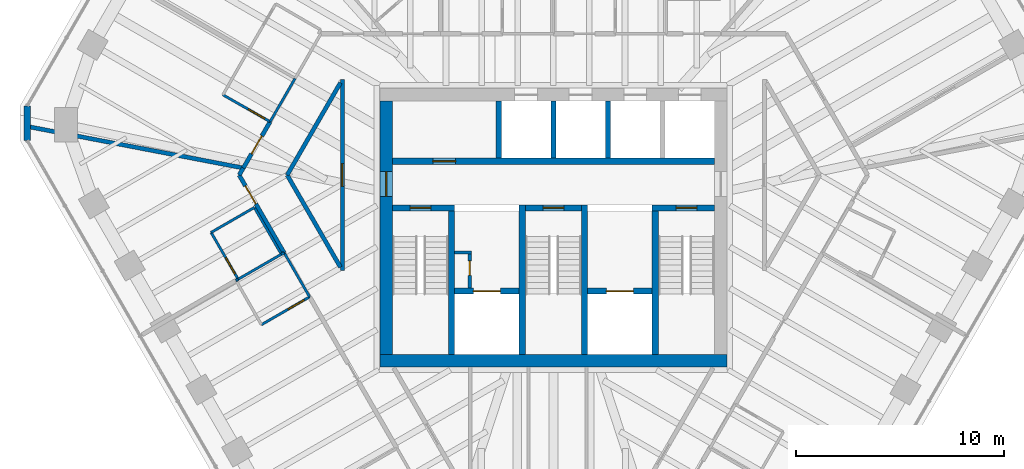
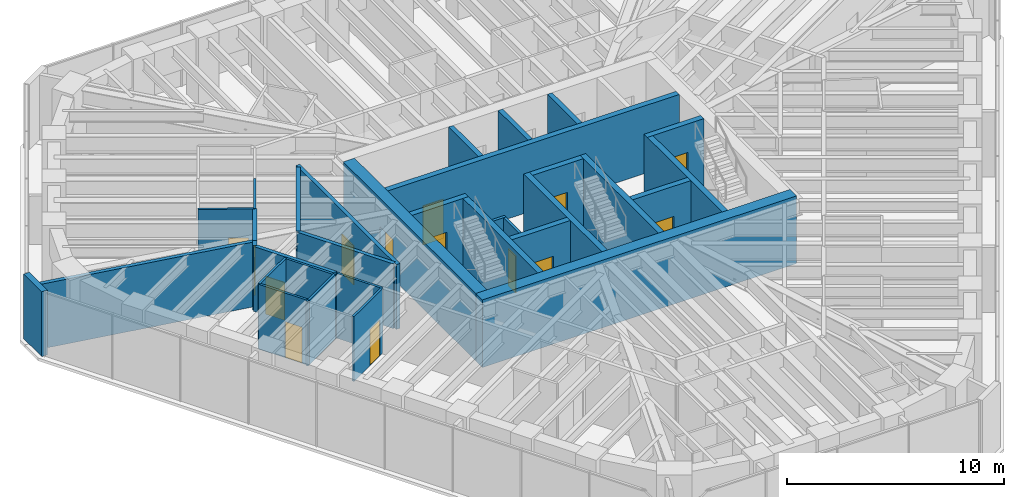
# One storey, part 10 of 14: 35 walls, 14 doors, 14 openings.
"""IFC4 building model written with IfcOpenShell, lengths in metres."""

from ifc_helpers import new_model, si_unit, direction, frame, frame_2d, origin, place, context, subcontext, project, spatial, rectangle, extrude, material, layer, layer_set, type_object, element, fill, save


model = new_model("IFC4")

# Units and contexts
model_context = context("Model", 3, precision=1e-05, world=origin(), true_north=direction((0.0, 1.0)))
body_context = subcontext(model_context, "Body", "Model", "MODEL_VIEW")
ifc_project = project(units=[si_unit("LENGTHUNIT", "METRE"), si_unit("AREAUNIT", "SQUARE_METRE"), si_unit("VOLUMEUNIT", "CUBIC_METRE"), si_unit("PLANEANGLEUNIT", "RADIAN"), si_unit("MASSUNIT", "GRAM", prefix="KILO")], contexts=[model_context])

# Site, building, storey
site_placement = place(None, origin())
site = spatial("IfcSite", under=ifc_project, at=site_placement, CompositionType="ELEMENT")
building_placement = place(site_placement, origin())
building = spatial("IfcBuilding", under=site, at=building_placement, Name="Sandreach Pilgrim Tower", CompositionType="ELEMENT")
storey_placement = place(building_placement, frame((0.0, 0.0, 295.0)))
storey = spatial("IfcBuildingStorey", under=building, at=storey_placement, Name="L74", CompositionType="ELEMENT", Elevation=295.0)

# Wall, opening, door
ifc_material_1 = material(Name="Moisture-resistant gypsum board on steel studs", Category="steel")
ifc_layer_1 = layer(ifc_material_1, 0.1201171875)
ifc_layer_set_1 = layer_set([ifc_layer_1], Name="Bathroom partition 120")
wall_type_1 = type_object("IfcWallType", Name="Bathroom partition 120", PredefinedType="PARTITIONING", material=ifc_layer_set_1)
wall_1_placement = place(storey_placement, frame((-16.469970703125, -0.22998046875, 0.0), z_axis=(0.0, 0.0, 1.0), x_axis=(0.500291685314, -0.865856933682, 0.0)))
wall_1 = element("IfcWall", 1, at=wall_1_placement, inside=storey, type_object=wall_type_1, Name="Bathroom partition L74-005", PredefinedType="PARTITIONING", context=body_context, shape_type="SweptSolid", body=[
    extrude(rectangle(XDim=2.5986328125, YDim=0.1201171875, at=frame_2d((1.29931640625, 0.0))), origin(), (0.0, 0.0, 1.0), 3.639892578125),
])
opening_1_placement = place(wall_1_placement, frame((1.398681640625, 0.0, 0.0)))
opening_1 = element("IfcOpeningElement", 2, at=opening_1_placement, cuts=wall_1, Name="Opening D09-15B", PredefinedType="OPENING", context=body_context, shape_type="SweptSolid", body=[
    extrude(rectangle(XDim=0.89990234375, YDim=2.030029296875, at=frame_2d((0.449951171875, 1.01513671875))), frame((0.0, 0.06005859375, 0.0), z_axis=(0.0, -1.0, 0.0), x_axis=(1.0, 0.0, 0.0)), (0.0, 0.0, 1.0), 0.1201171875),
])
ifc_material_2 = material(Name="Timber door, steel frame", Category="steel")
door_type_1 = type_object("IfcDoorType", Name="Bathroom door", OperationType="SINGLE_SWING_LEFT", PredefinedType="DOOR", material=ifc_material_2)
door_1_placement = place(opening_1_placement, origin())
door_1 = element("IfcDoor", 3, at=door_1_placement, inside=storey, type_object=door_type_1, Name="Door 7415B", OperationType="SINGLE_SWING_RIGHT", OverallHeight=2.030029296875, OverallWidth=0.89990234375, PredefinedType="DOOR", context=body_context, shape_type="SweptSolid", body=[
    extrude(rectangle(XDim=0.89990234375, YDim=2.030029296875, at=frame_2d((0.449951171875, 1.01513671875))), frame((0.0, 0.02490234375, 0.0), z_axis=(0.0, -1.0, 0.0), x_axis=(1.0, 0.0, 0.0)), (0.0, 0.0, 1.0), 0.050048828125),
])
fill(opening_1, door_1)

wall_2_placement = place(storey_placement, frame((-15.89990234375, 6.389892578125, 0.0), z_axis=(0.0, 0.0, 1.0), x_axis=(0.869431908012, -0.494052787999, 0.0)))
wall_2 = element("IfcWall", 4, at=wall_2_placement, inside=storey, type_object=wall_type_1, Name="Bathroom partition L74-006", PredefinedType="PARTITIONING", context=body_context, shape_type="SweptSolid", body=[
    extrude(rectangle(XDim=2.610595703125, YDim=0.1201171875, at=frame_2d((1.30517578125, 0.0))), origin(), (0.0, 0.0, 1.0), 3.639892578125),
])
opening_2_placement = place(wall_2_placement, frame((1.410888671875, 0.0, 0.0)))
opening_2 = element("IfcOpeningElement", 5, at=opening_2_placement, cuts=wall_2, Name="Opening D09-16B", PredefinedType="OPENING", context=body_context, shape_type="SweptSolid", body=[
    extrude(rectangle(XDim=0.89990234375, YDim=2.030029296875, at=frame_2d((0.449951171875, 1.01513671875))), frame((0.0, 0.06005859375, 0.0), z_axis=(0.0, -1.0, 0.0), x_axis=(1.0, 0.0, 0.0)), (0.0, 0.0, 1.0), 0.1201171875),
])
door_2_placement = place(opening_2_placement, origin())
door_2 = element("IfcDoor", 6, at=door_2_placement, inside=storey, type_object=door_type_1, Name="Door 7416B", OperationType="SINGLE_SWING_RIGHT", OverallHeight=2.030029296875, OverallWidth=0.89990234375, PredefinedType="DOOR", context=body_context, shape_type="SweptSolid", body=[
    extrude(rectangle(XDim=0.89990234375, YDim=2.030029296875, at=frame_2d((0.449951171875, 1.01513671875))), frame((0.0, 0.02490234375, 0.0), z_axis=(0.0, -1.0, 0.0), x_axis=(1.0, 0.0, 0.0)), (0.0, 0.0, 1.0), 0.050048828125),
])
fill(opening_2, door_2)

# Walls
wall_3_placement = place(storey_placement, frame((-15.27001953125, -2.5400390625, 0.0), z_axis=(0.0, 0.0, 1.0), x_axis=(0.864612942288, 0.502438513678, 0.0)))
element("IfcWall", 7, at=wall_3_placement, inside=storey, type_object=wall_type_1, Name="Bathroom partition L74-007", PredefinedType="PARTITIONING", context=body_context, shape_type="SweptSolid", body=[
    extrude(rectangle(XDim=0.11669921875, YDim=0.1201171875, at=frame_2d((0.058349609375, 0.0))), origin(), (0.0, 0.0, 1.0), 3.639892578125),
])
for number, where, z_axis, x_axis, name in (
    (8, (-15.1689453125, -2.48193359375, 0.0), (0.0, 0.0, 1.0), (0.865723129019, 0.500523190154, 0.0), "Bathroom partition L74-009"),
    (9, (-14.389892578125, 0.969970703125, 0.0), (0.0, 0.0, 1.0), (-0.866202511239, -0.499693115345, 0.0), "Bathroom partition L74-015"),
):
    element("IfcWall", number, at=place(storey_placement, frame(where, z_axis=z_axis, x_axis=x_axis)), inside=storey, type_object=wall_type_1, Name=name, PredefinedType="PARTITIONING", context=body_context, shape_type="SweptSolid", body=[
        extrude(rectangle(XDim=2.4013671875, YDim=0.1201171875, at=frame_2d((1.20068359375, 0.0))), origin(), (0.0, 0.0, 1.0), 3.639892578125),
    ])

# Wall, opening, door
wall_4_placement = place(storey_placement, frame((-14.050048828125, -4.669921875, 0.0), z_axis=(0.0, 0.0, 1.0), x_axis=(0.865968562295, 0.500098439427, 0.0)))
wall_4 = element("IfcWall", 10, at=wall_4_placement, inside=storey, type_object=wall_type_1, Name="Bathroom partition L74-017", PredefinedType="PARTITIONING", context=body_context, shape_type="SweptSolid", body=[
    extrude(rectangle(XDim=2.67919921875, YDim=0.1201171875, at=frame_2d((1.339599609375, 0.0))), origin(), (0.0, 0.0, 1.0), 3.639892578125),
])
opening_3_placement = place(wall_4_placement, frame((1.479248046875, 0.0, 0.0)))
opening_3 = element("IfcOpeningElement", 11, at=opening_3_placement, cuts=wall_4, Name="Opening D09-14B", PredefinedType="OPENING", context=body_context, shape_type="SweptSolid", body=[
    extrude(rectangle(XDim=0.89990234375, YDim=2.030029296875, at=frame_2d((0.449951171875, 1.01513671875))), frame((0.0, 0.06005859375, 0.0), z_axis=(0.0, -1.0, 0.0), x_axis=(1.0, 0.0, 0.0)), (0.0, 0.0, 1.0), 0.1201171875),
])
door_3_placement = place(opening_3_placement, origin())
door_3 = element("IfcDoor", 12, at=door_3_placement, inside=storey, type_object=door_type_1, Name="Door 7414B", OperationType="SINGLE_SWING_RIGHT", OverallHeight=2.030029296875, OverallWidth=0.89990234375, PredefinedType="DOOR", context=body_context, shape_type="SweptSolid", body=[
    extrude(rectangle(XDim=0.89990234375, YDim=2.030029296875, at=frame_2d((0.449951171875, 1.01513671875))), frame((0.0, 0.02490234375, 0.0), z_axis=(0.0, -1.0, 0.0), x_axis=(1.0, 0.0, 0.0)), (0.0, 0.0, 1.0), 0.050048828125),
])
fill(opening_3, door_3)

# Walls
wall_5_placement = place(storey_placement, frame((-13.6298828125, 5.10009765625, 0.0), z_axis=(0.0, 0.0, 1.0), x_axis=(0.499737123639, 0.866177122335, 0.0)))
element("IfcWall", 13, at=wall_5_placement, inside=storey, type_object=wall_type_1, Name="Bathroom partition L74-018", PredefinedType="PARTITIONING", context=body_context, shape_type="SweptSolid", body=[
    extrude(rectangle(XDim=2.401123046875, YDim=0.1201171875, at=frame_2d((1.20068359375, 0.0))), origin(), (0.0, 0.0, 1.0), 3.639892578125),
])
wall_6_placement = place(storey_placement, frame((-13.090087890625, -1.280029296875, 0.0), z_axis=(0.0, 0.0, 1.0), x_axis=(-0.500291685314, 0.865856933682, 0.0)))
element("IfcWall", 14, at=wall_6_placement, inside=storey, type_object=wall_type_1, Name="Bathroom partition L74-020", PredefinedType="PARTITIONING", context=body_context, shape_type="SweptSolid", body=[
    extrude(rectangle(XDim=2.5986328125, YDim=0.1201171875, at=frame_2d((1.29931640625, 0.0))), origin(), (0.0, 0.0, 1.0), 3.639892578125),
])
wall_7_placement = place(storey_placement, frame((-13.087890625, -1.283447265625, 0.0), z_axis=(0.0, 0.0, 1.0), x_axis=(0.867120749652, 0.498097987873, 0.0)))
element("IfcWall", 15, at=wall_7_placement, inside=storey, type_object=wall_type_1, Name="Bathroom partition L74-021", PredefinedType="PARTITIONING", context=body_context, shape_type="SweptSolid", body=[
    extrude(rectangle(XDim=0.1474609375, YDim=0.1201171875, at=frame_2d((0.07373046875, 0.0))), origin(), (0.0, 0.0, 1.0), 3.639892578125),
])
wall_8_placement = place(storey_placement, frame((-12.955322265625, -1.207275390625, 0.0), z_axis=(0.0, 0.0, 1.0), x_axis=(0.499920767294, -0.866071143976, 0.0)))
element("IfcWall", 16, at=wall_8_placement, inside=storey, type_object=wall_type_1, Name="Bathroom partition L74-022", PredefinedType="PARTITIONING", context=body_context, shape_type="SweptSolid", body=[
    extrude(rectangle(XDim=2.451171875, YDim=0.1201171875, at=frame_2d((1.2255859375, 0.0))), origin(), (0.0, 0.0, 1.0), 3.639892578125),
])
ifc_material_3 = material(Name="Concrete 10000 psi", Category="concrete")
ifc_layer_2 = layer(ifc_material_3, 0.300048828125)
ifc_layer_set_2 = layer_set([ifc_layer_2], Name="Core inner wall 300")
wall_type_2 = type_object("IfcWallType", Name="Core inner wall 300", PredefinedType="SHEAR", material=ifc_layer_set_2)
for number, where, z_axis, x_axis, name in (
    (17, (-4.89990234375, -6.10009765625, 0.0), (0.0, 0.0, 1.0), (0.0, 1.0, 0.0), "Core wall I0 L74"),
    (18, (-1.5, -6.10009765625, 0.0), (0.0, 0.0, 1.0), (0.0, 1.0, 0.0), "Core wall I1 L74"),
    (19, (1.5, -6.10009765625, 0.0), (0.0, 0.0, 1.0), (0.0, 1.0, 0.0), "Core wall I2 L74"),
    (20, (4.89990234375, -6.10009765625, 0.0), (0.0, 0.0, 1.0), (0.0, 1.0, 0.0), "Core wall I3 L74"),
):
    element("IfcWall", number, at=place(storey_placement, frame(where, z_axis=z_axis, x_axis=x_axis)), inside=storey, type_object=wall_type_2, Name=name, PredefinedType="SHEAR", context=body_context, shape_type="SweptSolid", body=[
        extrude(rectangle(XDim=7.2001953125, YDim=0.300048828125, at=frame_2d((3.60009765625, 0.0))), origin(), (0.0, 0.0, 1.0), 3.800048828125),
    ])

# Wall, opening, door
wall_9_placement = place(storey_placement, frame((-7.75, 0.949951171875, 0.0), z_axis=(0.0, 0.0, 1.0), x_axis=(1.0, 0.0, 0.0)))
wall_9 = element("IfcWall", 21, at=wall_9_placement, inside=storey, type_object=wall_type_2, Name="Core wall SN1 L74", PredefinedType="SHEAR", context=body_context, shape_type="SweptSolid", body=[
    extrude(rectangle(XDim=3.0, YDim=0.300048828125, at=frame_2d((1.5, 0.0))), origin(), (0.0, 0.0, 1.0), 3.800048828125),
])
opening_4_placement = place(wall_9_placement, frame((0.85009765625, 0.0, 0.0)))
opening_4 = element("IfcOpeningElement", 22, at=opening_4_placement, cuts=wall_9, Name="Opening D10S-ST1", PredefinedType="OPENING", context=body_context, shape_type="SweptSolid", body=[
    extrude(rectangle(XDim=1.0, YDim=2.199951171875, at=frame_2d((0.5, 1.10009765625))), frame((0.0, 0.14990234375, 0.0), z_axis=(0.0, -1.0, 0.0), x_axis=(1.0, 0.0, 0.0)), (0.0, 0.0, 1.0), 0.300048828125),
])
ifc_material_4 = material(Name="Steel door and frame", Category="steel")
door_type_2 = type_object("IfcDoorType", Name="Stair door", OperationType="SINGLE_SWING_LEFT", PredefinedType="DOOR", material=ifc_material_4)
door_4_placement = place(opening_4_placement, origin())
door_4 = element("IfcDoor", 23, at=door_4_placement, inside=storey, type_object=door_type_2, Name="Stair door ST1 L74", OperationType="SINGLE_SWING_LEFT", OverallHeight=2.199951171875, OverallWidth=1.0, PredefinedType="DOOR", context=body_context, shape_type="SweptSolid", body=[
    extrude(rectangle(XDim=1.0, YDim=2.199951171875, at=frame_2d((0.5, 1.10009765625))), frame((0.0, 0.02490234375, 0.0), z_axis=(0.0, -1.0, 0.0), x_axis=(1.0, 0.0, 0.0)), (0.0, 0.0, 1.0), 0.050048828125),
])
fill(opening_4, door_4)

wall_10_placement = place(storey_placement, frame((-1.35009765625, 0.949951171875, 0.0), z_axis=(0.0, 0.0, 1.0), x_axis=(1.0, 0.0, 0.0)))
wall_10 = element("IfcWall", 24, at=wall_10_placement, inside=storey, type_object=wall_type_2, Name="Core wall SN3 L74", PredefinedType="SHEAR", context=body_context, shape_type="SweptSolid", body=[
    extrude(rectangle(XDim=2.7001953125, YDim=0.300048828125, at=frame_2d((1.35009765625, 0.0))), origin(), (0.0, 0.0, 1.0), 3.800048828125),
])
opening_5_placement = place(wall_10_placement, frame((0.85009765625, 0.0, 0.0)))
opening_5 = element("IfcOpeningElement", 25, at=opening_5_placement, cuts=wall_10, Name="Opening D10S-ST3", PredefinedType="OPENING", context=body_context, shape_type="SweptSolid", body=[
    extrude(rectangle(XDim=1.0, YDim=2.199951171875, at=frame_2d((0.5, 1.10009765625))), frame((0.0, 0.14990234375, 0.0), z_axis=(0.0, -1.0, 0.0), x_axis=(1.0, 0.0, 0.0)), (0.0, 0.0, 1.0), 0.300048828125),
])
door_5_placement = place(opening_5_placement, origin())
door_5 = element("IfcDoor", 26, at=door_5_placement, inside=storey, type_object=door_type_2, Name="Stair door ST3 L74", OperationType="SINGLE_SWING_LEFT", OverallHeight=2.199951171875, OverallWidth=1.0, PredefinedType="DOOR", context=body_context, shape_type="SweptSolid", body=[
    extrude(rectangle(XDim=1.0, YDim=2.199951171875, at=frame_2d((0.5, 1.10009765625))), frame((0.0, 0.02490234375, 0.0), z_axis=(0.0, -1.0, 0.0), x_axis=(1.0, 0.0, 0.0)), (0.0, 0.0, 1.0), 0.050048828125),
])
fill(opening_5, door_5)

wall_11_placement = place(storey_placement, frame((4.75, 0.949951171875, 0.0), z_axis=(0.0, 0.0, 1.0), x_axis=(1.0, 0.0, 0.0)))
wall_11 = element("IfcWall", 27, at=wall_11_placement, inside=storey, type_object=wall_type_2, Name="Core wall SN2 L74", PredefinedType="SHEAR", context=body_context, shape_type="SweptSolid", body=[
    extrude(rectangle(XDim=3.0, YDim=0.300048828125, at=frame_2d((1.5, 0.0))), origin(), (0.0, 0.0, 1.0), 3.800048828125),
])
opening_6_placement = place(wall_11_placement, frame((1.14990234375, 0.0, 0.0)))
opening_6 = element("IfcOpeningElement", 28, at=opening_6_placement, cuts=wall_11, Name="Opening D10S-ST2", PredefinedType="OPENING", context=body_context, shape_type="SweptSolid", body=[
    extrude(rectangle(XDim=1.0, YDim=2.199951171875, at=frame_2d((0.5, 1.10009765625))), frame((0.0, 0.14990234375, 0.0), z_axis=(0.0, -1.0, 0.0), x_axis=(1.0, 0.0, 0.0)), (0.0, 0.0, 1.0), 0.300048828125),
])
door_6_placement = place(opening_6_placement, origin())
door_6 = element("IfcDoor", 29, at=door_6_placement, inside=storey, type_object=door_type_2, Name="Stair door ST2 L74", OperationType="SINGLE_SWING_RIGHT", OverallHeight=2.199951171875, OverallWidth=1.0, PredefinedType="DOOR", context=body_context, shape_type="SweptSolid", body=[
    extrude(rectangle(XDim=1.0, YDim=2.199951171875, at=frame_2d((0.5, 1.10009765625))), frame((0.0, 0.02490234375, 0.0), z_axis=(0.0, -1.0, 0.0), x_axis=(1.0, 0.0, 0.0)), (0.0, 0.0, 1.0), 0.050048828125),
])
fill(opening_6, door_6)

wall_12_placement = place(storey_placement, frame((-4.75, -3.050048828125, 0.0), z_axis=(0.0, 0.0, 1.0), x_axis=(1.0, 0.0, 0.0)))
wall_12 = element("IfcWall", 30, at=wall_12_placement, inside=storey, type_object=wall_type_2, Name="Core wall FL1 L74", PredefinedType="SHEAR", context=body_context, shape_type="SweptSolid", body=[
    extrude(rectangle(XDim=3.10009765625, YDim=0.300048828125, at=frame_2d((1.550048828125, 0.0))), origin(), (0.0, 0.0, 1.0), 3.800048828125),
])
opening_7_placement = place(wall_12_placement, frame((0.89990234375, 0.0, 0.0)))
opening_7 = element("IfcOpeningElement", 31, at=opening_7_placement, cuts=wall_12, Name="Opening LD13", PredefinedType="OPENING", context=body_context, shape_type="SweptSolid", body=[
    extrude(rectangle(XDim=1.300048828125, YDim=2.10009765625, at=frame_2d((0.64990234375, 1.050048828125))), frame((0.0, 0.14990234375, 0.0), z_axis=(0.0, -1.0, 0.0), x_axis=(1.0, 0.0, 0.0)), (0.0, 0.0, 1.0), 0.300048828125),
])
ifc_material_5 = material(Name="Steel door and frame", Category="steel")
door_type_3 = type_object("IfcDoorType", Name="Fire service lift landing door", OperationType="DOUBLE_DOOR_SLIDING", PredefinedType="DOOR", material=ifc_material_5)
door_7_placement = place(opening_7_placement, origin())
door_7 = element("IfcDoor", 32, at=door_7_placement, inside=storey, type_object=door_type_3, Name="Lift landing door FS1 L74", OperationType="DOUBLE_DOOR_SLIDING", OverallHeight=2.10009765625, OverallWidth=1.300048828125, PredefinedType="DOOR", context=body_context, shape_type="SweptSolid", body=[
    extrude(rectangle(XDim=1.300048828125, YDim=2.10009765625, at=frame_2d((0.64990234375, 1.050048828125))), frame((0.0, 0.02490234375, 0.0), z_axis=(0.0, -1.0, 0.0), x_axis=(1.0, 0.0, 0.0)), (0.0, 0.0, 1.0), 0.050048828125),
])
fill(opening_7, door_7)

wall_13_placement = place(storey_placement, frame((1.64990234375, -3.050048828125, 0.0), z_axis=(0.0, 0.0, 1.0), x_axis=(1.0, 0.0, 0.0)))
wall_13 = element("IfcWall", 33, at=wall_13_placement, inside=storey, type_object=wall_type_2, Name="Core wall FL2 L74", PredefinedType="SHEAR", context=body_context, shape_type="SweptSolid", body=[
    extrude(rectangle(XDim=3.10009765625, YDim=0.300048828125, at=frame_2d((1.550048828125, 0.0))), origin(), (0.0, 0.0, 1.0), 3.800048828125),
])
opening_8_placement = place(wall_13_placement, frame((0.89990234375, 0.0, 0.0)))
opening_8 = element("IfcOpeningElement", 34, at=opening_8_placement, cuts=wall_13, Name="Opening LD13", PredefinedType="OPENING", context=body_context, shape_type="SweptSolid", body=[
    extrude(rectangle(XDim=1.300048828125, YDim=2.10009765625, at=frame_2d((0.64990234375, 1.050048828125))), frame((0.0, 0.14990234375, 0.0), z_axis=(0.0, -1.0, 0.0), x_axis=(1.0, 0.0, 0.0)), (0.0, 0.0, 1.0), 0.300048828125),
])
door_8_placement = place(opening_8_placement, origin())
door_8 = element("IfcDoor", 35, at=door_8_placement, inside=storey, type_object=door_type_3, Name="Lift landing door FS2 L74", OperationType="DOUBLE_DOOR_SLIDING", OverallHeight=2.10009765625, OverallWidth=1.300048828125, PredefinedType="DOOR", context=body_context, shape_type="SweptSolid", body=[
    extrude(rectangle(XDim=1.300048828125, YDim=2.10009765625, at=frame_2d((0.64990234375, 1.050048828125))), frame((0.0, 0.02490234375, 0.0), z_axis=(0.0, -1.0, 0.0), x_axis=(1.0, 0.0, 0.0)), (0.0, 0.0, 1.0), 0.050048828125),
])
fill(opening_8, door_8)

wall_14_placement = place(storey_placement, frame((-7.75, 3.199951171875, 0.0), z_axis=(0.0, 0.0, 1.0), x_axis=(1.0, 0.0, 0.0)))
wall_14 = element("IfcWall", 36, at=wall_14_placement, inside=storey, type_object=wall_type_2, Name="Core wall PN L74", PredefinedType="SHEAR", context=body_context, shape_type="SweptSolid", body=[
    extrude(rectangle(XDim=15.5, YDim=0.300048828125, at=frame_2d((7.75, 0.0))), origin(), (0.0, 0.0, 1.0), 3.800048828125),
])
opening_9_placement = place(wall_14_placement, frame((1.949951171875, 0.0, 0.0)))
opening_9 = element("IfcOpeningElement", 37, at=opening_9_placement, cuts=wall_14, Name="Opening D11L", PredefinedType="OPENING", context=body_context, shape_type="SweptSolid", body=[
    extrude(rectangle(XDim=1.10009765625, YDim=2.199951171875, at=frame_2d((0.550048828125, 1.10009765625))), frame((0.0, 0.14990234375, 0.0), z_axis=(0.0, -1.0, 0.0), x_axis=(1.0, 0.0, 0.0)), (0.0, 0.0, 1.0), 0.300048828125),
])
ifc_material_6 = material(Name="Steel door and frame, smoke seals", Category="steel")
door_type_4 = type_object("IfcDoorType", Name="Core room door", OperationType="SINGLE_SWING_LEFT", PredefinedType="DOOR", material=ifc_material_6)
door_9_placement = place(opening_9_placement, origin())
door_9 = element("IfcDoor", 38, at=door_9_placement, inside=storey, type_object=door_type_4, Name="Door butler pantry 74K1", OperationType="SINGLE_SWING_LEFT", OverallHeight=2.199951171875, OverallWidth=1.10009765625, PredefinedType="DOOR", context=body_context, shape_type="SweptSolid", body=[
    extrude(rectangle(XDim=1.10009765625, YDim=2.199951171875, at=frame_2d((0.550048828125, 1.10009765625))), frame((0.0, 0.02490234375, 0.0), z_axis=(0.0, -1.0, 0.0), x_axis=(1.0, 0.0, 0.0)), (0.0, 0.0, 1.0), 0.050048828125),
])
fill(opening_9, door_9)

# Wall
ifc_material_7 = material(Name="Concrete 10000 psi", Category="concrete")
ifc_layer_3 = layer(ifc_material_7, 0.60009765625)
ifc_layer_set_3 = layer_set([ifc_layer_3], Name="Core wall 600")
wall_type_3 = type_object("IfcWallType", Name="Core wall 600", PredefinedType="SHEAR", material=ifc_layer_set_3)
wall_15_placement = place(storey_placement, frame((-8.35009765625, -6.39990234375, 0.0), z_axis=(0.0, 0.0, 1.0), x_axis=(1.0, 0.0, 0.0)))
element("IfcWall", 39, at=wall_15_placement, inside=storey, type_object=wall_type_3, Name="Core wall S L74", PredefinedType="SHEAR", context=body_context, shape_type="SweptSolid", body=[
    extrude(rectangle(XDim=16.7001953125, YDim=0.60009765625, at=frame_2d((8.35009765625, 0.0))), origin(), (0.0, 0.0, 1.0), 3.800048828125),
])

# Wall, opening, door
wall_16_placement = place(storey_placement, frame((-8.050048828125, -6.10009765625, 0.0), z_axis=(0.0, 0.0, 1.0), x_axis=(0.0, 1.0, 0.0)))
wall_16 = element("IfcWall", 40, at=wall_16_placement, inside=storey, type_object=wall_type_3, Name="Core wall W L74", PredefinedType="SHEAR", context=body_context, shape_type="SweptSolid", body=[
    extrude(rectangle(XDim=12.2001953125, YDim=0.60009765625, at=frame_2d((6.10009765625, 0.0))), origin(), (0.0, 0.0, 1.0), 3.800048828125),
])
opening_10_placement = place(wall_16_placement, frame((7.60009765625, 0.0, 0.0)))
opening_10 = element("IfcOpeningElement", 41, at=opening_10_placement, cuts=wall_16, Name="Opening D12F-W", PredefinedType="OPENING", context=body_context, shape_type="SweptSolid", body=[
    extrude(rectangle(XDim=1.199951171875, YDim=2.199951171875, at=frame_2d((0.60009765625, 1.10009765625))), frame((0.0, 0.300048828125, 0.0), z_axis=(0.0, -1.0, 0.0), x_axis=(1.0, 0.0, 0.0)), (0.0, 0.0, 1.0), 0.60009765625),
])
ifc_material_8 = material(Name="Steel door and frame", Category="steel")
door_type_5 = type_object("IfcDoorType", Name="Fire lobby door", OperationType="SINGLE_SWING_LEFT", PredefinedType="DOOR", material=ifc_material_8)
door_10_placement = place(opening_10_placement, origin())
door_10 = element("IfcDoor", 42, at=door_10_placement, inside=storey, type_object=door_type_5, Name="Fire service lobby door W L74", OperationType="SINGLE_SWING_RIGHT", OverallHeight=2.199951171875, OverallWidth=1.199951171875, PredefinedType="DOOR", context=body_context, shape_type="SweptSolid", body=[
    extrude(rectangle(XDim=1.199951171875, YDim=2.199951171875, at=frame_2d((0.60009765625, 1.10009765625))), frame((0.0, 0.02490234375, 0.0), z_axis=(0.0, -1.0, 0.0), x_axis=(1.0, 0.0, 0.0)), (0.0, 0.0, 1.0), 0.050048828125),
])
fill(opening_10, door_10)

# Wall
ifc_material_9 = material(Name="Gypsum board on steel studs, two layers each side", Category="steel")
ifc_layer_4 = layer(ifc_material_9, 0.199951171875)
ifc_layer_set_4 = layer_set([ifc_layer_4], Name="Corridor wall 200")
wall_type_4 = type_object("IfcWallType", Name="Corridor wall 200", PredefinedType="PARTITIONING", material=ifc_layer_set_4)
wall_17_placement = place(storey_placement, frame((-15.1201171875, 2.530029296875, 0.0), z_axis=(0.0, 0.0, 1.0), x_axis=(0.507290461451, 0.861775137562, 0.0)))
element("IfcWall", 43, at=wall_17_placement, inside=storey, type_object=wall_type_4, Name="Corridor wall L74-010", PredefinedType="PARTITIONING", context=body_context, shape_type="SweptSolid", body=[
    extrude(rectangle(XDim=0.39453125, YDim=0.199951171875, at=frame_2d((0.197265625, 0.0))), origin(), (0.0, 0.0, 1.0), 3.639892578125),
])

# Wall, opening, door
wall_18_placement = place(storey_placement, frame((-15.1201171875, 2.530029296875, 0.0), z_axis=(0.0, 0.0, 1.0), x_axis=(0.500151395541, -0.865937977882, 0.0)))
wall_18 = element("IfcWall", 44, at=wall_18_placement, inside=storey, type_object=wall_type_4, Name="Corridor wall L74-011", PredefinedType="PARTITIONING", context=body_context, shape_type="SweptSolid", body=[
    extrude(rectangle(XDim=4.319091796875, YDim=0.199951171875, at=frame_2d((2.15966796875, 0.0))), origin(), (0.0, 0.0, 1.0), 3.639892578125),
])
opening_11_placement = place(wall_18_placement, frame((0.60009765625, 0.0, 0.0)))
opening_11 = element("IfcOpeningElement", 45, at=opening_11_placement, cuts=wall_18, Name="Opening D10-15", PredefinedType="OPENING", context=body_context, shape_type="SweptSolid", body=[
    extrude(rectangle(XDim=1.0, YDim=2.1298828125, at=frame_2d((0.5, 1.06494140625))), frame((0.0, 0.10009765625, 0.0), z_axis=(0.0, -1.0, 0.0), x_axis=(1.0, 0.0, 0.0)), (0.0, 0.0, 1.0), 0.199951171875),
])
ifc_material_10 = material(Name="Steel door and frame", Category="steel")
door_type_6 = type_object("IfcDoorType", Name="Guest room entry door", OperationType="SINGLE_SWING_LEFT", PredefinedType="DOOR", material=ifc_material_10)
door_11_placement = place(opening_11_placement, origin())
door_11 = element("IfcDoor", 46, at=door_11_placement, inside=storey, type_object=door_type_6, Name="Door 7415", OperationType="SINGLE_SWING_LEFT", OverallHeight=2.1298828125, OverallWidth=1.0, PredefinedType="DOOR", context=body_context, shape_type="SweptSolid", body=[
    extrude(rectangle(XDim=1.0, YDim=2.1298828125, at=frame_2d((0.5, 1.06494140625))), frame((0.0, 0.02490234375, 0.0), z_axis=(0.0, -1.0, 0.0), x_axis=(1.0, 0.0, 0.0)), (0.0, 0.0, 1.0), 0.050048828125),
])
fill(opening_11, door_11)

wall_19_placement = place(storey_placement, frame((-14.919921875, 2.8701171875, 0.0), z_axis=(0.0, 0.0, 1.0), x_axis=(0.500714932888, 0.865612243434, 0.0)))
wall_19 = element("IfcWall", 47, at=wall_19_placement, inside=storey, type_object=wall_type_4, Name="Corridor wall L74-012", PredefinedType="PARTITIONING", context=body_context, shape_type="SweptSolid", body=[
    extrude(rectangle(XDim=2.575927734375, YDim=0.199951171875, at=frame_2d((1.2880859375, 0.0))), origin(), (0.0, 0.0, 1.0), 3.639892578125),
])
opening_12_placement = place(wall_19_placement, frame((0.7880859375, 0.0, 0.0)))
opening_12 = element("IfcOpeningElement", 48, at=opening_12_placement, cuts=wall_19, Name="Opening D10-16", PredefinedType="OPENING", context=body_context, shape_type="SweptSolid", body=[
    extrude(rectangle(XDim=1.0, YDim=2.1298828125, at=frame_2d((0.5, 1.06494140625))), frame((0.0, 0.10009765625, 0.0), z_axis=(0.0, -1.0, 0.0), x_axis=(1.0, 0.0, 0.0)), (0.0, 0.0, 1.0), 0.199951171875),
])
door_12_placement = place(opening_12_placement, origin())
door_12 = element("IfcDoor", 49, at=door_12_placement, inside=storey, type_object=door_type_6, Name="Door 7416", OperationType="SINGLE_SWING_LEFT", OverallHeight=2.1298828125, OverallWidth=1.0, PredefinedType="DOOR", context=body_context, shape_type="SweptSolid", body=[
    extrude(rectangle(XDim=1.0, YDim=2.1298828125, at=frame_2d((0.5, 1.06494140625))), frame((0.0, 0.02490234375, 0.0), z_axis=(0.0, -1.0, 0.0), x_axis=(1.0, 0.0, 0.0)), (0.0, 0.0, 1.0), 0.050048828125),
])
fill(opening_12, door_12)

# Walls
wall_20_placement = place(storey_placement, frame((-12.81005859375, 2.530029296875, 0.0), z_axis=(0.0, 0.0, 1.0), x_axis=(0.499765047266, 0.86616101132, 0.0)))
element("IfcWall", 50, at=wall_20_placement, inside=storey, type_object=wall_type_4, Name="Corridor wall L74-023", PredefinedType="PARTITIONING", context=body_context, shape_type="SweptSolid", body=[
    extrude(rectangle(XDim=5.12744140625, YDim=0.199951171875, at=frame_2d((2.563720703125, 0.0))), origin(), (0.0, 0.0, 1.0), 3.639892578125),
])
wall_21_placement = place(storey_placement, frame((-10.24755859375, -1.901123046875, 0.0), z_axis=(0.0, 0.0, 1.0), x_axis=(-0.500611305161, 0.865672178798, 0.0)))
element("IfcWall", 51, at=wall_21_placement, inside=storey, type_object=wall_type_4, Name="Corridor wall L74-028", PredefinedType="PARTITIONING", context=body_context, shape_type="SweptSolid", body=[
    extrude(rectangle(XDim=5.11865234375, YDim=0.199951171875, at=frame_2d((2.559326171875, 0.0))), origin(), (0.0, 0.0, 1.0), 3.639892578125),
])

# Wall, opening, door
wall_22_placement = place(storey_placement, frame((-10.14990234375, 7.139892578125, 0.0), z_axis=(0.0, 0.0, 1.0), x_axis=(0.0, -1.0, 0.0)))
wall_22 = element("IfcWall", 52, at=wall_22_placement, inside=storey, type_object=wall_type_4, Name="Corridor wall L74-029", PredefinedType="PARTITIONING", context=body_context, shape_type="SweptSolid", body=[
    extrude(rectangle(XDim=9.2099609375, YDim=0.199951171875, at=frame_2d((4.60498046875, 0.0))), origin(), (0.0, 0.0, 1.0), 3.639892578125),
])
opening_13_placement = place(wall_22_placement, frame((4.054931640625, 0.0, 0.0)))
opening_13 = element("IfcOpeningElement", 53, at=opening_13_placement, cuts=wall_22, Name="Opening D11H-M1", PredefinedType="OPENING", context=body_context, shape_type="SweptSolid", body=[
    extrude(rectangle(XDim=1.10009765625, YDim=2.199951171875, at=frame_2d((0.550048828125, 1.10009765625))), frame((0.0, 0.10009765625, 0.0), z_axis=(0.0, -1.0, 0.0), x_axis=(1.0, 0.0, 0.0)), (0.0, 0.0, 1.0), 0.199951171875),
])
ifc_material_11 = material(Name="Steel door and frame", Category="steel")
door_type_7 = type_object("IfcDoorType", Name="Back of house door", OperationType="SINGLE_SWING_LEFT", PredefinedType="DOOR", material=ifc_material_11)
door_13_placement = place(opening_13_placement, origin())
door_13 = element("IfcDoor", 54, at=door_13_placement, inside=storey, type_object=door_type_7, Name="Door 74M1", OperationType="SINGLE_SWING_LEFT", OverallHeight=2.199951171875, OverallWidth=1.10009765625, PredefinedType="DOOR", context=body_context, shape_type="SweptSolid", body=[
    extrude(rectangle(XDim=1.10009765625, YDim=2.199951171875, at=frame_2d((0.550048828125, 1.10009765625))), frame((0.0, 0.02490234375, 0.0), z_axis=(0.0, -1.0, 0.0), x_axis=(1.0, 0.0, 0.0)), (0.0, 0.0, 1.0), 0.050048828125),
])
fill(opening_13, door_13)

# Wall
ifc_material_12 = material(Name="Double steel stud acoustic wall, gypsum board", Category="steel")
ifc_layer_5 = layer(ifc_material_12, 0.199951171875)
ifc_layer_set_5 = layer_set([ifc_layer_5], Name="Party wall 200")
wall_type_5 = type_object("IfcWallType", Name="Party wall 200", PredefinedType="PARTITIONING", material=ifc_layer_set_5)
wall_23_placement = place(storey_placement, frame((-25.340576171875, 4.874267578125, 0.0), z_axis=(0.0, 0.0, 1.0), x_axis=(0.982001168061, -0.188874841966, 0.0)))
element("IfcWall", 55, at=wall_23_placement, inside=storey, type_object=wall_type_5, Name="Party wall L74-001", PredefinedType="PARTITIONING", context=body_context, shape_type="SweptSolid", body=[
    extrude(rectangle(XDim=10.556640625, YDim=0.199951171875, at=frame_2d((5.2783203125, 0.0))), origin(), (0.0, 0.0, 1.0), 3.639892578125),
])

# Wall, opening, door
ifc_material_13 = material(Name="Gypsum shaft wall on steel studs, shaft liner board", Category="steel")
ifc_layer_6 = layer(ifc_material_13, 0.14990234375)
ifc_layer_set_6 = layer_set([ifc_layer_6], Name="Riser shaft wall 150")
wall_type_6 = type_object("IfcWallType", Name="Riser shaft wall 150", PredefinedType="PARTITIONING", material=ifc_layer_set_6)
wall_24_placement = place(storey_placement, frame((-4.02490234375, -2.89990234375, 0.0), z_axis=(0.0, 0.0, 1.0), x_axis=(0.0, 1.0, 0.0)))
wall_24 = element("IfcWall", 56, at=wall_24_placement, inside=storey, type_object=wall_type_6, Name="Riser partition L74 side", PredefinedType="PARTITIONING", context=body_context, shape_type="SweptSolid", body=[
    extrude(rectangle(XDim=1.77490234375, YDim=0.14990234375, at=frame_2d((0.887451171875, 0.0))), origin(), (0.0, 0.0, 1.0), 3.639892578125),
])
opening_14_placement = place(wall_24_placement, frame((0.60009765625, 0.0, 0.0)))
opening_14 = element("IfcOpeningElement", 57, at=opening_14_placement, cuts=wall_24, Name="Opening D07R", PredefinedType="OPENING", context=body_context, shape_type="SweptSolid", body=[
    extrude(rectangle(XDim=0.699951171875, YDim=2.10009765625, at=frame_2d((0.35009765625, 1.050048828125))), frame((0.0, 0.074951171875, 0.0), z_axis=(0.0, -1.0, 0.0), x_axis=(1.0, 0.0, 0.0)), (0.0, 0.0, 1.0), 0.14990234375),
])
ifc_material_14 = material(Name="Steel door and frame, smoke seals", Category="steel")
door_type_8 = type_object("IfcDoorType", Name="Riser access door", OperationType="SINGLE_SWING_RIGHT", PredefinedType="DOOR", material=ifc_material_14)
door_14_placement = place(opening_14_placement, origin())
door_14 = element("IfcDoor", 58, at=door_14_placement, inside=storey, type_object=door_type_8, Name="Door riser 74ER", OperationType="SINGLE_SWING_RIGHT", OverallHeight=2.10009765625, OverallWidth=0.699951171875, PredefinedType="DOOR", context=body_context, shape_type="SweptSolid", body=[
    extrude(rectangle(XDim=0.699951171875, YDim=2.10009765625, at=frame_2d((0.35009765625, 1.050048828125))), frame((0.0, 0.02490234375, 0.0), z_axis=(0.0, -1.0, 0.0), x_axis=(1.0, 0.0, 0.0)), (0.0, 0.0, 1.0), 0.050048828125),
])
fill(opening_14, door_14)

# Walls
wall_25_placement = place(storey_placement, frame((-4.75, -1.199951171875, 0.0), z_axis=(0.0, 0.0, 1.0), x_axis=(1.0, 0.0, 0.0)))
element("IfcWall", 59, at=wall_25_placement, inside=storey, type_object=wall_type_6, Name="Riser partition L74 front", PredefinedType="PARTITIONING", context=body_context, shape_type="SweptSolid", body=[
    extrude(rectangle(XDim=0.800048828125, YDim=0.14990234375, at=frame_2d((0.39990234375, 0.0))), origin(), (0.0, 0.0, 1.0), 3.639892578125),
])
ifc_material_15 = material(Name="Gypsum shaft wall on steel studs, two layers of shaft liner board", Category="steel")
ifc_layer_7 = layer(ifc_material_15, 0.25)
ifc_layer_set_7 = layer_set([ifc_layer_7], Name="Shaft partition 250")
wall_type_7 = type_object("IfcWallType", Name="Shaft partition 250", PredefinedType="PARTITIONING", material=ifc_layer_set_7)
for number, where, z_axis, x_axis, name in (
    (60, (-2.625, 3.35009765625, 0.0), (0.0, 0.0, 1.0), (0.0, 1.0, 0.0), "Shaft partition NS1 L74"),
    (61, (0.0, 3.35009765625, 0.0), (0.0, 0.0, 1.0), (0.0, 1.0, 0.0), "Shaft partition NS2 L74"),
    (62, (2.625, 3.35009765625, 0.0), (0.0, 0.0, 1.0), (0.0, 1.0, 0.0), "Shaft partition NS3 L74"),
):
    element("IfcWall", number, at=place(storey_placement, frame(where, z_axis=z_axis, x_axis=x_axis)), inside=storey, type_object=wall_type_7, Name=name, PredefinedType="PARTITIONING", context=body_context, shape_type="SweptSolid", body=[
        extrude(rectangle(XDim=2.75, YDim=0.25, at=frame_2d((1.375, 0.0))), origin(), (0.0, 0.0, 1.0), 3.800048828125),
    ])
ifc_material_16 = material(Name="Terracotta rainscreen on concrete", Category="masonry")
ifc_layer_8 = layer(ifc_material_16, 0.300048828125)
ifc_layer_set_8 = layer_set([ifc_layer_8], Name="Terracotta chamfer pier")
wall_type_8 = type_object("IfcWallType", Name="Terracotta chamfer pier", PredefinedType="SOLIDWALL", material=ifc_layer_set_8)
wall_26_placement = place(storey_placement, frame((-25.3193359375, 4.20166015625, 0.0), z_axis=(0.0, 0.0, 1.0), x_axis=(0.0, 1.0, 0.0)))
element("IfcWall", 63, at=wall_26_placement, inside=storey, type_object=wall_type_8, Name="Chamfer pier L74 SW", PredefinedType="SOLIDWALL", context=body_context, shape_type="SweptSolid", body=[
    extrude(rectangle(XDim=1.659912109375, YDim=0.300048828125, at=frame_2d((0.830078125, 0.0))), origin(), (0.0, 0.0, 1.0), 3.639892578125),
])

save(model, "model.ifc")
